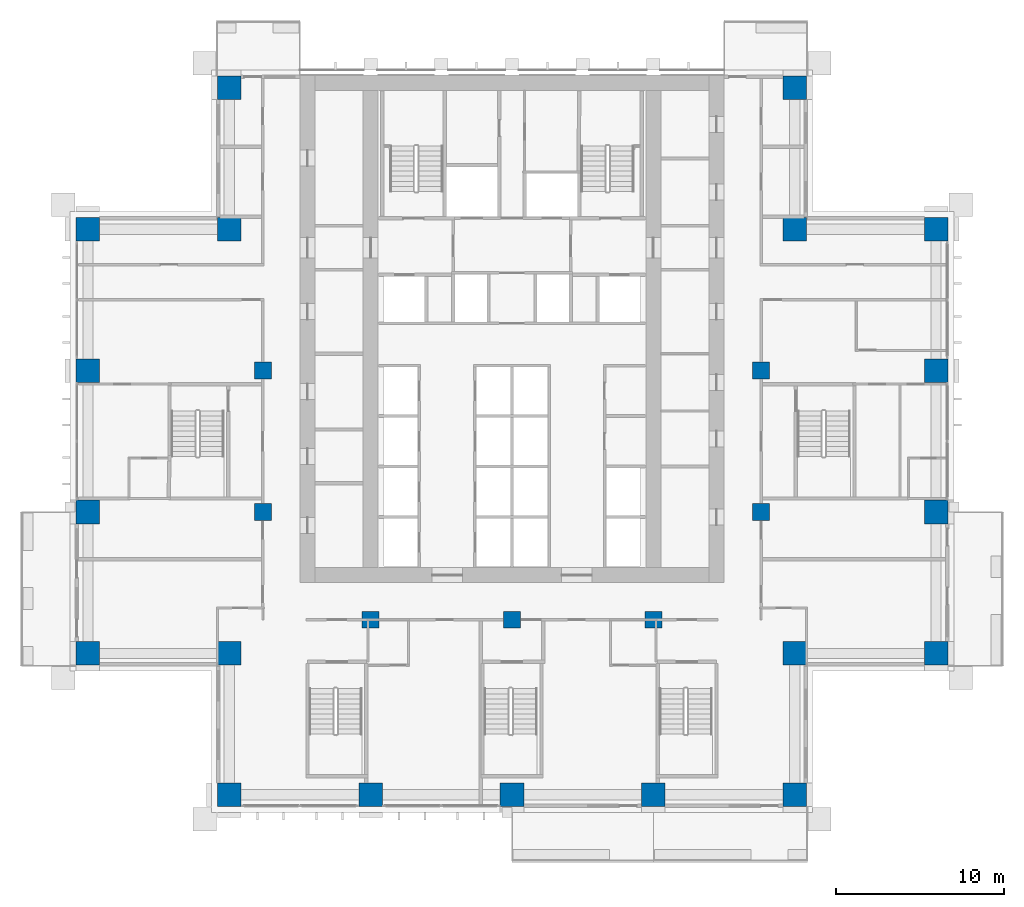
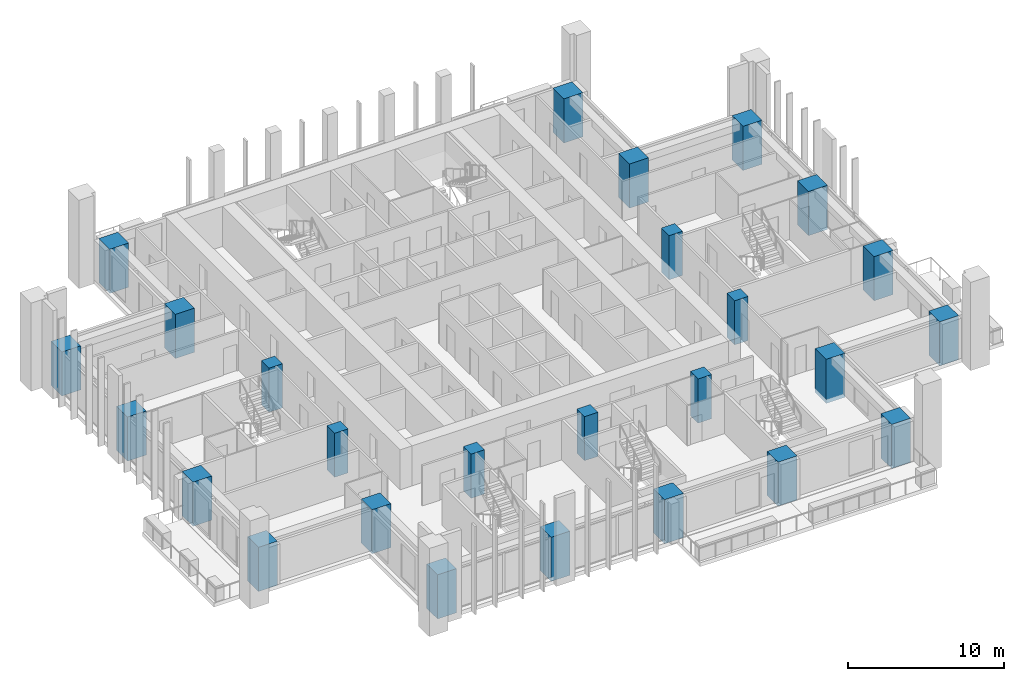
# One storey, part 1 of 19: 26 columns.
"""IFC4 building model written with IfcOpenShell, lengths in metres."""

from ifc_helpers import new_model, si_unit, direction, frame, origin, origin_2d, place, context, subcontext, project, spatial, rectangle, extrude, material, material_profile, profile_set, type_object, element, save


model = new_model("IFC4")

# Units and contexts
model_context = context("Model", 3, precision=1e-05, world=origin(), true_north=direction((0.0, 1.0)))
body_context = subcontext(model_context, "Body", "Model", "MODEL_VIEW")
ifc_project = project(units=[si_unit("LENGTHUNIT", "METRE"), si_unit("AREAUNIT", "SQUARE_METRE"), si_unit("VOLUMEUNIT", "CUBIC_METRE"), si_unit("PLANEANGLEUNIT", "RADIAN"), si_unit("MASSUNIT", "GRAM", prefix="KILO")], contexts=[model_context])

# Site, building, storey
site_placement = place(None, origin())
site = spatial("IfcSite", under=ifc_project, at=site_placement, CompositionType="ELEMENT")
building_placement = place(site_placement, origin())
building = spatial("IfcBuilding", under=site, at=building_placement, Name="Vermilion Ogive Tower", CompositionType="ELEMENT")
storey_placement = place(building_placement, frame((0.0, 0.0, 62.10009765625)))
storey = spatial("IfcBuildingStorey", under=building, at=storey_placement, Name="L14", CompositionType="ELEMENT", Elevation=62.10009765625)

# Columns
ifc_material_1 = material(Name="Concrete B80", Category="concrete")
ifc_material_profile_1 = material_profile(ifc_material_1, rectangle(XDim=1.39990234375, YDim=1.39990234375, at=origin_2d()), Name="1400 x 1400")
ifc_profile_set_1 = profile_set([ifc_material_profile_1], Name="Concrete B80")
column_type_1 = type_object("IfcColumnType", Name="Perimeter column 1400 x 1400 B80", PredefinedType="COLUMN", material=ifc_profile_set_1)
for number, where, z_axis, x_axis, name in (
    (1, (-16.800048828125, -21.0, -0.320068359375), (0.0, 0.0, 1.0), (1.0, 0.0, 0.0), "COL-L14-P-0168-210"),
    (2, (-8.39990234375, -21.0, -0.320068359375), (0.0, 0.0, 1.0), (1.0, 0.0, 0.0), "COL-L14-P-0084-210"),
    (3, (0.0, -21.0, -0.320068359375), (0.0, 0.0, 1.0), (1.0, 0.0, 0.0), "COL-L14-P+0000-210"),
    (4, (8.39990234375, -21.0, -0.320068359375), (0.0, 0.0, 1.0), (1.0, 0.0, 0.0), "COL-L14-P+0084-210"),
    (5, (16.800048828125, -21.0, -0.320068359375), (0.0, 0.0, 1.0), (1.0, 0.0, 0.0), "COL-L14-P+0168-210"),
    (6, (-25.199951171875, -12.60009765625, -0.320068359375), (0.0, 0.0, 1.0), (1.0, 0.0, 0.0), "COL-L14-P-0252-126"),
    (7, (-16.800048828125, -12.60009765625, -0.320068359375), (0.0, 0.0, 1.0), (1.0, 0.0, 0.0), "COL-L14-P-0168-126"),
    (8, (16.800048828125, -12.60009765625, -0.320068359375), (0.0, 0.0, 1.0), (1.0, 0.0, 0.0), "COL-L14-P+0168-126"),
    (9, (25.199951171875, -12.60009765625, -0.320068359375), (0.0, 0.0, 1.0), (1.0, 0.0, 0.0), "COL-L14-P+0252-126"),
    (10, (-25.199951171875, -4.199951171875, -0.320068359375), (0.0, 0.0, 1.0), (1.0, 0.0, 0.0), "COL-L14-P-0252-042"),
    (11, (25.199951171875, -4.199951171875, -0.320068359375), (0.0, 0.0, 1.0), (1.0, 0.0, 0.0), "COL-L14-P+0252-042"),
    (12, (-25.199951171875, 4.199951171875, -0.320068359375), (0.0, 0.0, 1.0), (1.0, 0.0, 0.0), "COL-L14-P-0252+042"),
    (13, (25.199951171875, 4.199951171875, -0.320068359375), (0.0, 0.0, 1.0), (1.0, 0.0, 0.0), "COL-L14-P+0252+042"),
    (14, (-25.199951171875, 12.60009765625, -0.320068359375), (0.0, 0.0, 1.0), (1.0, 0.0, 0.0), "COL-L14-P-0252+126"),
    (15, (-16.800048828125, 12.60009765625, -0.320068359375), (0.0, 0.0, 1.0), (1.0, 0.0, 0.0), "COL-L14-P-0168+126"),
    (16, (16.800048828125, 12.60009765625, -0.320068359375), (0.0, 0.0, 1.0), (1.0, 0.0, 0.0), "COL-L14-P+0168+126"),
    (17, (25.199951171875, 12.60009765625, -0.320068359375), (0.0, 0.0, 1.0), (1.0, 0.0, 0.0), "COL-L14-P+0252+126"),
    (18, (-16.800048828125, 21.0, -0.320068359375), (0.0, 0.0, 1.0), (1.0, 0.0, 0.0), "COL-L14-P-0168+210"),
    (19, (16.800048828125, 21.0, -0.320068359375), (0.0, 0.0, 1.0), (1.0, 0.0, 0.0), "COL-L14-P+0168+210"),
):
    element("IfcColumn", number, at=place(storey_placement, frame(where, z_axis=z_axis, x_axis=x_axis)), inside=storey, type_object=column_type_1, Name=name, PredefinedType="COLUMN", context=body_context, shape_type="SweptSolid", body=[
        extrude(rectangle(XDim=1.39990234375, YDim=1.39990234375, at=origin_2d()), origin(), (0.0, 0.0, 1.0), 3.449951171875),
    ])
ifc_material_2 = material(Name="Concrete B80", Category="concrete")
ifc_material_profile_2 = material_profile(ifc_material_2, rectangle(XDim=1.0, YDim=1.0, at=origin_2d()), Name="1000 x 1000")
ifc_profile_set_2 = profile_set([ifc_material_profile_2], Name="Concrete B80")
column_type_2 = type_object("IfcColumnType", Name="Ring column 1000 x 1000 B80", PredefinedType="COLUMN", material=ifc_profile_set_2)
for number, where, z_axis, x_axis, name in (
    (20, (-8.39990234375, -10.60009765625, -0.320068359375), (0.0, 0.0, 1.0), (1.0, 0.0, 0.0), "COL-L14-R-0084-106"),
    (21, (0.0, -10.60009765625, -0.320068359375), (0.0, 0.0, 1.0), (1.0, 0.0, 0.0), "COL-L14-R+0000-106"),
    (22, (8.39990234375, -10.60009765625, -0.320068359375), (0.0, 0.0, 1.0), (1.0, 0.0, 0.0), "COL-L14-R+0084-106"),
    (23, (-14.800048828125, -4.199951171875, -0.320068359375), (0.0, 0.0, 1.0), (1.0, 0.0, 0.0), "COL-L14-R-0148-042"),
    (24, (14.800048828125, -4.199951171875, -0.320068359375), (0.0, 0.0, 1.0), (1.0, 0.0, 0.0), "COL-L14-R+0148-042"),
    (25, (-14.800048828125, 4.199951171875, -0.320068359375), (0.0, 0.0, 1.0), (1.0, 0.0, 0.0), "COL-L14-R-0148+042"),
    (26, (14.800048828125, 4.199951171875, -0.320068359375), (0.0, 0.0, 1.0), (1.0, 0.0, 0.0), "COL-L14-R+0148+042"),
):
    element("IfcColumn", number, at=place(storey_placement, frame(where, z_axis=z_axis, x_axis=x_axis)), inside=storey, type_object=column_type_2, Name=name, PredefinedType="COLUMN", context=body_context, shape_type="SweptSolid", body=[
        extrude(rectangle(XDim=1.0, YDim=1.0, at=origin_2d()), origin(), (0.0, 0.0, 1.0), 3.449951171875),
    ])

save(model, "model.ifc")
